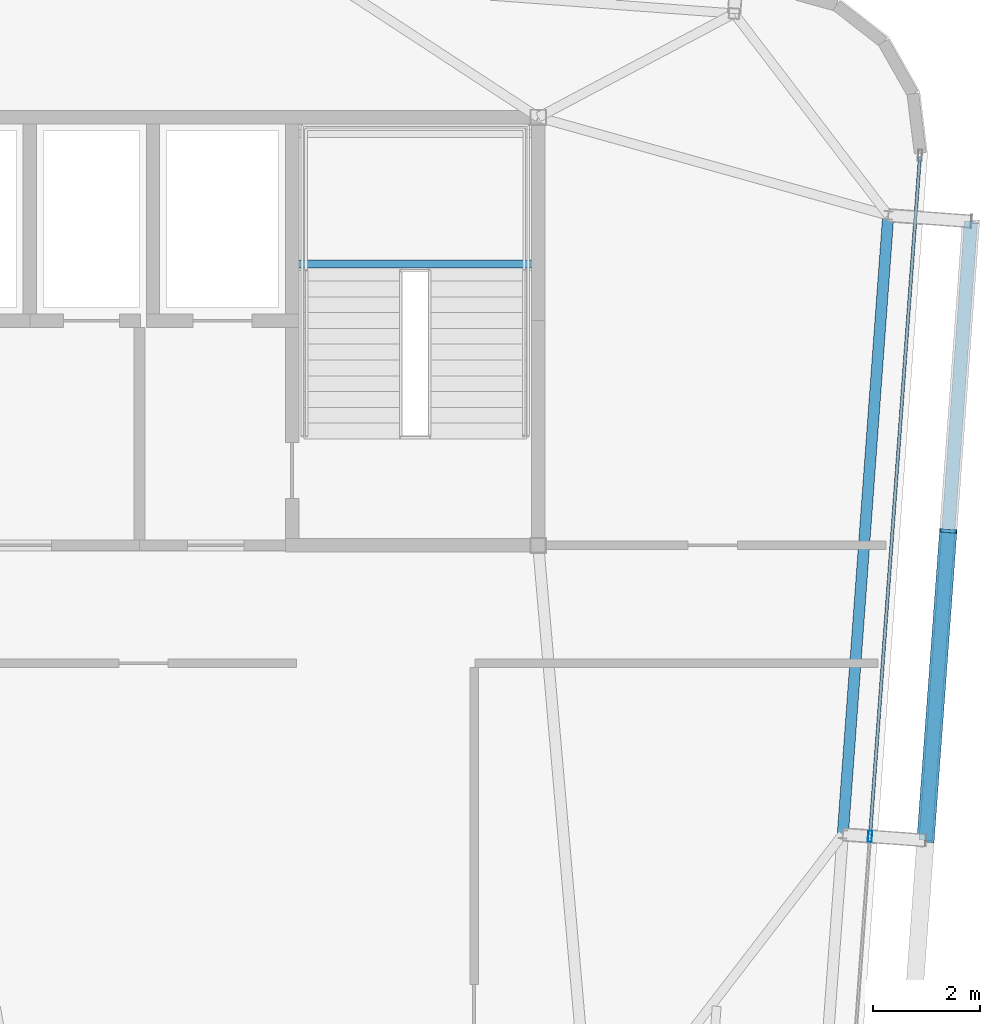
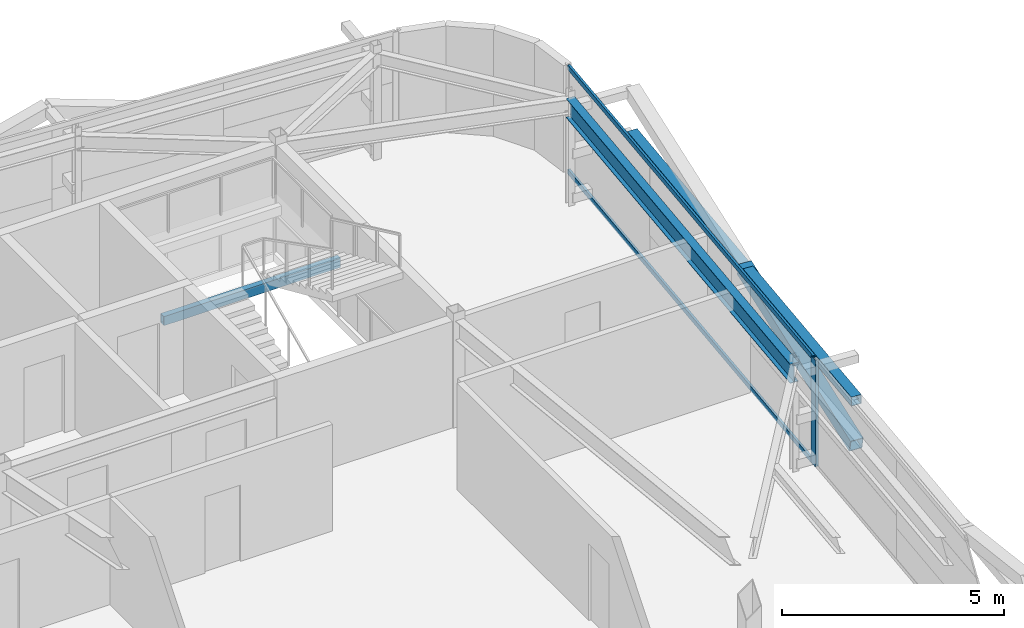
# One storey, part 17 of 34: 5 members, 2 beams, 1 element without a shape of its own.
"""IFC4 building model written with IfcOpenShell, lengths in metres."""

from ifc_helpers import new_model, si_unit, direction, frame, origin, origin_2d, place, context, subcontext, project, spatial, hollow_rectangle, i_section, extrude, source, transform, mapped, material, layer, layer_set, material_profile, profile_set, type_object, element, aggregate, save


model = new_model("IFC4")

# Units and contexts
model_context = context("Model", 3, precision=1e-05, world=origin(), true_north=direction((0.0, 1.0)))
body_context = subcontext(model_context, "Body", "Model", "MODEL_VIEW")
ifc_project = project(units=[si_unit("LENGTHUNIT", "METRE"), si_unit("AREAUNIT", "SQUARE_METRE"), si_unit("VOLUMEUNIT", "CUBIC_METRE"), si_unit("PLANEANGLEUNIT", "RADIAN"), si_unit("MASSUNIT", "GRAM", prefix="KILO")], contexts=[model_context])

# Site, building, storey
site_placement = place(None, origin())
site = spatial("IfcSite", under=ifc_project, at=site_placement, CompositionType="ELEMENT")
building_placement = place(site_placement, origin())
building = spatial("IfcBuilding", under=site, at=building_placement, Name="Taldren Reach Tower", CompositionType="ELEMENT")
storey_placement = place(building_placement, frame((0.0, 0.0, 246.050048828125)))
storey = spatial("IfcBuildingStorey", under=building, at=storey_placement, Name="L75", CompositionType="ELEMENT", Elevation=246.050048828125)

# Beam
ifc_material_1 = material(Name="Steel Gr 350 (350PLUS)", Category="steel")
ifc_material_profile_1 = material_profile(ifc_material_1, i_section(OverallWidth=0.208984375, OverallDepth=0.528076171875, WebThickness=0.009521484375, FlangeThickness=0.01318359375, at=origin_2d()), Name="530UB82.0")
ifc_profile_set_1 = profile_set([ifc_material_profile_1], Name="Steel Gr 350 (350PLUS)")
beam_type_1 = type_object("IfcBeamType", Name="SP-UB530B", PredefinedType="SPANDREL", material=ifc_profile_set_1)
shared_shape_1 = source(origin(), body_context, "Body", "SweptSolid", [
    extrude(i_section(OverallWidth=0.208984375, OverallDepth=0.528076171875, WebThickness=0.009521484375, FlangeThickness=0.01318359375, at=origin_2d()), origin(), (0.0, 0.0, 1.0), 11.60009765625),
])
beam_1_placement = place(storey_placement, frame((56.69140625, 18.599853515625, 2.666015625), z_axis=(0.073221234109, 0.997315722766, 0.0), x_axis=(-0.997315722766, 0.073221234109, 0.0)))
element("IfcBeam", 1, at=beam_1_placement, inside=storey, type_object=beam_type_1, Name="Perimeter spandrel B5 E2-E3 L75", PredefinedType="SPANDREL", context=body_context, shape_type="MappedRepresentation", body=[
    mapped(shared_shape_1, transform((0.0, 0.0, 0.0), scale=1.0)),
])

# Members
ifc_material_2 = material(Name="Steel Gr 450 (C450L0)", Category="steel")
ifc_material_profile_2 = material_profile(ifc_material_2, hollow_rectangle(XDim=0.324951171875, YDim=0.324951171875, WallThickness=0.0126953125, at=origin_2d()), Name="325x325x12.7SHS")
ifc_profile_set_2 = profile_set([ifc_material_profile_2], Name="Steel Gr 450 (C450L0)")
member_type_1 = type_object("IfcMemberType", Name="MB-BR324", PredefinedType="BRACE", material=ifc_profile_set_2)
shared_shape_2 = source(origin(), body_context, "Body", "SweptSolid", [
    extrude(hollow_rectangle(XDim=0.324951171875, YDim=0.324951171875, WallThickness=0.0126953125, at=origin_2d()), origin(), (0.0, 0.0, 1.0), 5.926025390625),
])
member_1_placement = place(storey_placement, frame((58.237060546875, 18.486328125, 0.219970703125), z_axis=(0.071685935393, 0.976123486939, 0.205046494513), x_axis=(-0.997314185625, 0.073242167855, 0.0)))
element("IfcMember", 2, at=member_1_placement, inside=storey, type_object=member_type_1, Name="Exoskeleton Diagrid Brace B5-E2 L75", PredefinedType="BRACE", context=body_context, shape_type="MappedRepresentation", body=[
    mapped(shared_shape_2, transform((0.0, 0.0, 0.0), scale=1.0)),
])
ifc_material_3 = material(Name="Steel Gr 350 (C350L0)", Category="steel")
ifc_material_profile_3 = material_profile(ifc_material_3, hollow_rectangle(XDim=0.25, YDim=0.25, WallThickness=0.010009765625, at=origin_2d()), Name="250x250x10.0SHS")
ifc_profile_set_3 = profile_set([ifc_material_profile_3], Name="Steel Gr 350 (C350L0)")
member_type_2 = type_object("IfcMemberType", Name="MB-POST250", PredefinedType="POST", material=ifc_profile_set_3)
shared_shape_3 = source(origin(), body_context, "Body", "SweptSolid", [
    extrude(hollow_rectangle(XDim=0.25, YDim=0.25, WallThickness=0.010009765625, at=origin_2d()), origin(), (0.0, 0.0, 1.0), 11.60009765625),
])
member_2_placement = place(storey_placement, frame((58.237060546875, 18.486328125, 1.43505859375), z_axis=(0.073242167855, 0.997314185625, 0.0), x_axis=(-0.997314185625, 0.073242167855, 0.0)))
element("IfcMember", 3, at=member_2_placement, inside=storey, type_object=member_type_2, Name="Exoskeleton mid-height ring chord B5-E2 L75", PredefinedType="POST", context=body_context, shape_type="MappedRepresentation", body=[
    mapped(shared_shape_3, transform((0.0, 0.0, 0.0), scale=1.0)),
])

# Curtain wall, members
ifc_material_4 = material(Name="Aluminium and Low-E Glass Unitised System", Category="aluminium")
ifc_layer = layer(ifc_material_4, 0.159912109375)
ifc_layer_set = layer_set([ifc_layer], Name="Aluminium and Low-E Glass Unitised System")
curtain_wall_type = type_object("IfcCurtainWallType", Name="CW-SYS-6", PredefinedType="NOTDEFINED", material=ifc_layer_set)
curtain_wall_placement = place(storey_placement, origin())
curtain_wall = element("IfcCurtainWall", 4, at=curtain_wall_placement, inside=storey, type_object=curtain_wall_type, Name="Unitised curtain wall CW-L75-E", PredefinedType="NOTDEFINED")
ifc_material_5 = material(Name="Anodised Aluminium 6063-T6", Category="aluminium")
ifc_material_profile_4 = material_profile(ifc_material_5, hollow_rectangle(XDim=0.06005859375, YDim=0.135009765625, WallThickness=0.00341796875, at=origin_2d()), Name="ALU-135x60x3.5RHS")
ifc_profile_set_4 = profile_set([ifc_material_profile_4], Name="Anodised Aluminium 6063-T6")
member_type_3 = type_object("IfcMemberType", Name="CW-TRN-150", PredefinedType="USERDEFINED", material=ifc_profile_set_4)
shared_shape_4 = source(origin(), body_context, "Body", "SweptSolid", [
    extrude(hollow_rectangle(XDim=0.06005859375, YDim=0.135009765625, WallThickness=0.00341796875, at=origin_2d()), origin(), (0.0, 0.0, 1.0), 12.6875),
])
member_3_placement = place(storey_placement, frame((57.20263671875, 18.599853515625, 0.030029296875), z_axis=(0.073237997916, 0.997314491854, 0.0), x_axis=(-0.997314491854, 0.073237997916, 0.0)))
member_3 = element("IfcMember", 5, at=member_3_placement, type_object=member_type_3, Name="CW-6 transom 2.1", ObjectType="TRANSOM", PredefinedType="USERDEFINED", context=body_context, shape_type="MappedRepresentation", body=[
    mapped(shared_shape_4, transform((0.0, 0.0, 0.0), scale=1.0)),
])
member_4_placement = place(storey_placement, frame((57.20263671875, 18.599853515625, 2.89990234375), z_axis=(0.073237997916, 0.997314491854, 0.0), x_axis=(-0.997314491854, 0.073237997916, 0.0)))
member_4 = element("IfcMember", 6, at=member_4_placement, type_object=member_type_3, Name="CW-6 transom 2.2", ObjectType="TRANSOM", PredefinedType="USERDEFINED", context=body_context, shape_type="MappedRepresentation", body=[
    mapped(shared_shape_4, transform((0.0, 0.0, 0.0), scale=1.0)),
])
ifc_material_profile_5 = material_profile(ifc_material_5, hollow_rectangle(XDim=0.074951171875, YDim=0.2099609375, WallThickness=0.00439453125, at=origin_2d()), Name="ALU-210x75x4.5RHS")
ifc_profile_set_5 = profile_set([ifc_material_profile_5], Name="Anodised Aluminium 6063-T6")
member_type_4 = type_object("IfcMemberType", Name="CW-MUL-200", PredefinedType="MULLION", material=ifc_profile_set_5)
shared_shape_5 = source(origin(), body_context, "Body", "SweptSolid", [
    extrude(hollow_rectangle(XDim=0.074951171875, YDim=0.2099609375, WallThickness=0.00439453125, at=origin_2d()), origin(), (0.0, 0.0, 1.0), 2.929931640625),
])
member_5_placement = place(storey_placement, frame((57.199951171875, 18.5625, 0.0), z_axis=(0.0, 0.0, 1.0), x_axis=(-0.997314470951, 0.073238282558, 0.0)))
member_5 = element("IfcMember", 7, at=member_5_placement, type_object=member_type_4, Name="CW-6 mullion 2", PredefinedType="MULLION", context=body_context, shape_type="MappedRepresentation", body=[
    mapped(shared_shape_5, transform((0.0, 0.0, 0.0), scale=1.0)),
])
aggregate(curtain_wall, [member_5, member_3, member_4])

# Beam
ifc_material_profile_6 = material_profile(ifc_material_3, hollow_rectangle(XDim=0.14990234375, YDim=0.25, WallThickness=0.009033203125, at=origin_2d()), Name="250x150x9.0RHS")
ifc_profile_set_6 = profile_set([ifc_material_profile_6], Name="Steel Gr 350 (C350L0)")
beam_type_2 = type_object("IfcBeamType", Name="LN-RHS250", PredefinedType="LINTEL", material=ifc_profile_set_6)
shared_shape_6 = source(origin(), body_context, "Body", "SweptSolid", [
    extrude(hollow_rectangle(XDim=0.14990234375, YDim=0.25, WallThickness=0.009033203125, at=origin_2d()), origin(), (0.0, 0.0, 1.0), 4.60009765625),
])
beam_2_placement = place(storey_placement, frame((46.39990234375, 29.2548828125, 1.27001953125), z_axis=(1.0, 0.0, 0.0), x_axis=(0.0, 1.0, 0.0)))
element("IfcBeam", 8, at=beam_2_placement, inside=storey, type_object=beam_type_2, Name="Stair half-landing support beam ST2-L75-1", PredefinedType="LINTEL", context=body_context, shape_type="MappedRepresentation", body=[
    mapped(shared_shape_6, transform((0.0, 0.0, 0.0), scale=1.0)),
])

save(model, "model.ifc")
